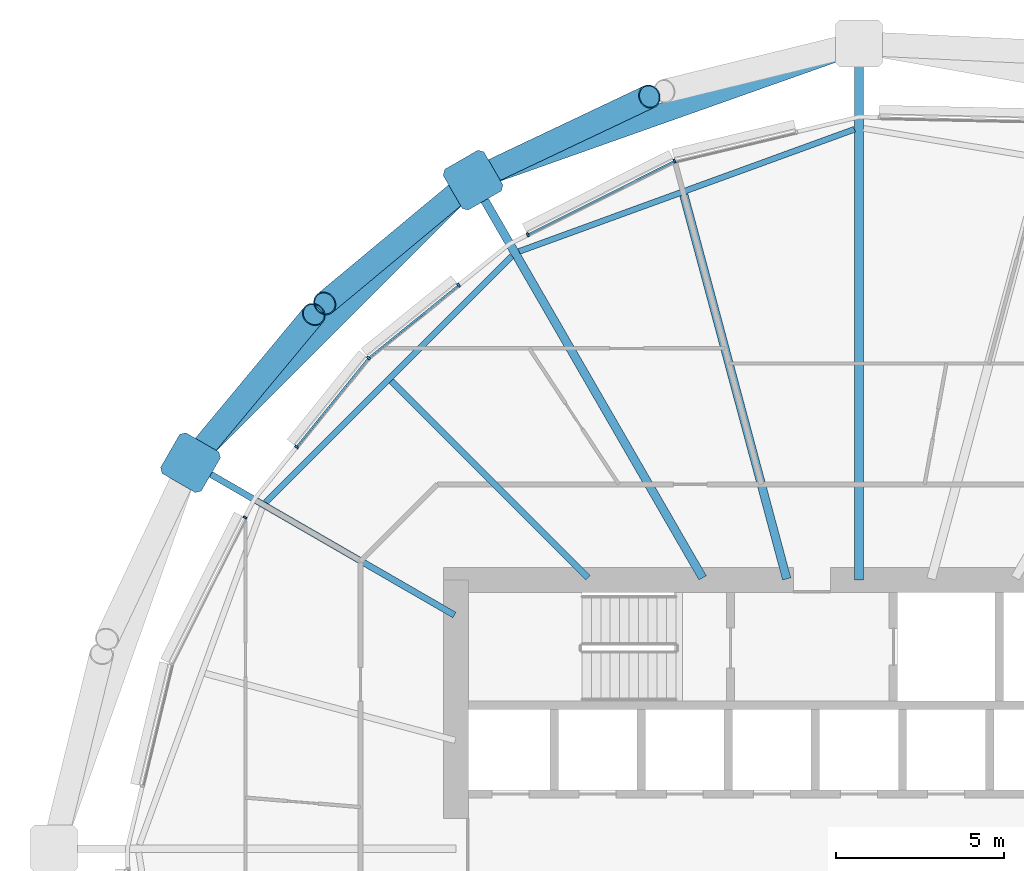
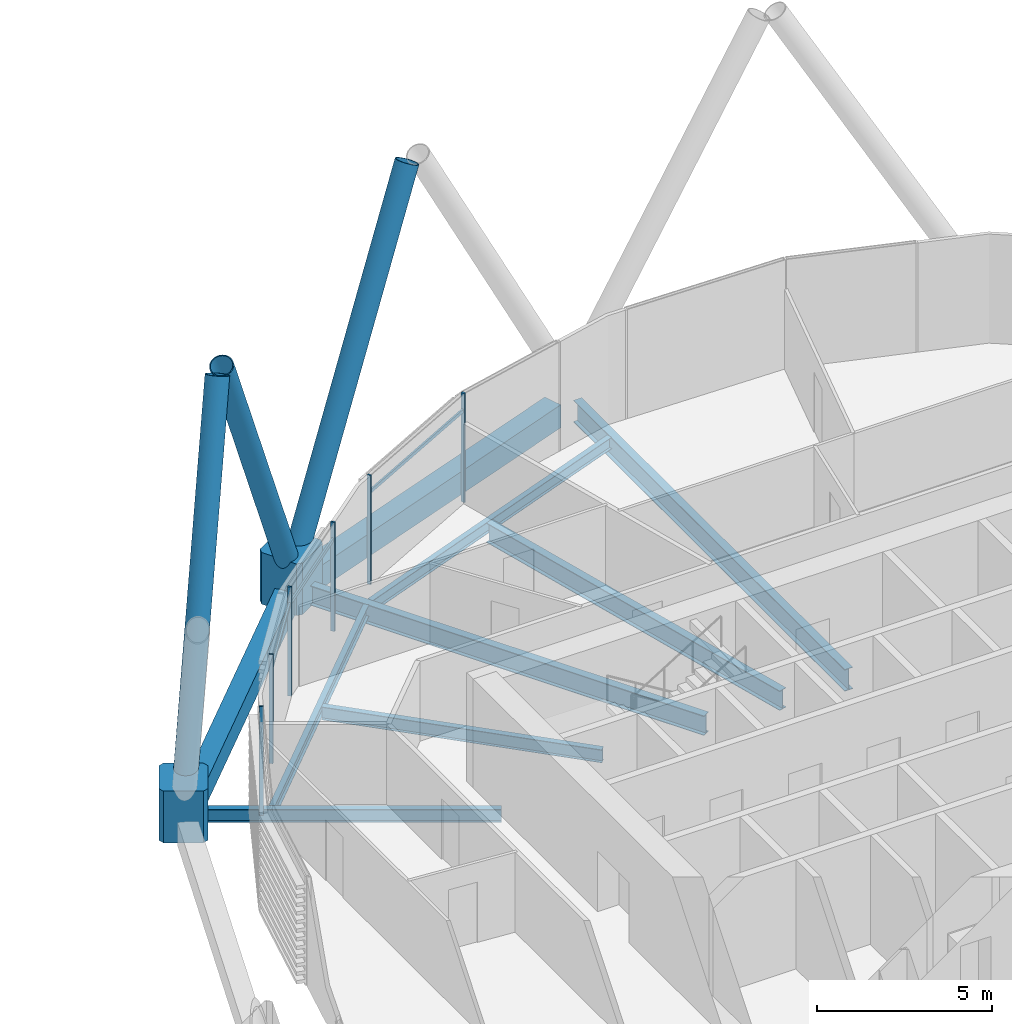
# One storey, part 21 of 39: 14 members, 9 beams, 1 element without a shape of its own.
"""IFC4 building model written with IfcOpenShell, lengths in metres."""

from ifc_helpers import new_model, si_unit, direction, frame, origin, origin_2d, place, context, subcontext, project, spatial, polyline, rectangle, hollow_rectangle, hollow_circle, i_section, outline, extrude, material, material_profile, profile_set, type_object, element, aggregate, save


model = new_model("IFC4")

# Units and contexts
model_context = context("Model", 3, precision=1e-05, world=origin(), true_north=direction((0.0, 1.0)))
body_context = subcontext(model_context, "Body", "Model", "MODEL_VIEW")
ifc_project = project(units=[si_unit("LENGTHUNIT", "METRE"), si_unit("AREAUNIT", "SQUARE_METRE"), si_unit("VOLUMEUNIT", "CUBIC_METRE"), si_unit("PLANEANGLEUNIT", "RADIAN"), si_unit("MASSUNIT", "GRAM", prefix="KILO")], contexts=[model_context])

# Site, building, storey
site_placement = place(None, origin())
site = spatial("IfcSite", under=ifc_project, at=site_placement, CompositionType="ELEMENT")
building_placement = place(site_placement, origin())
building = spatial("IfcBuilding", under=site, at=building_placement, Name="Rimbun Link Towers", CompositionType="ELEMENT")
storey_placement = place(building_placement, frame((0.0, 0.0, 115.800048828125)))
storey = spatial("IfcBuildingStorey", under=building, at=storey_placement, Name="L28", CompositionType="ELEMENT", Elevation=115.800048828125)

# Curtain wall, members
ifc_material_1 = material(Name="Aluminium 6063-T6 and low-iron glass", Category="aluminium")
curtain_wall_type = type_object("IfcCurtainWallType", Name="CW1-Z2 unitised vision wall (zone 2)", PredefinedType="NOTDEFINED", material=ifc_material_1)
curtain_wall_placement = place(storey_placement, origin())
curtain_wall = element("IfcCurtainWall", 1, at=curtain_wall_placement, inside=storey, type_object=curtain_wall_type, Name="CW1 L28 T2", PredefinedType="NOTDEFINED")
ifc_material_2 = material(Name="Aluminium 6063-T6", Category="aluminium")
ifc_material_profile_1 = material_profile(ifc_material_2, rectangle(XDim=0.1201171875, YDim=0.06005859375, at=origin_2d()), Name="MULLION 60X120")
ifc_profile_set_1 = profile_set([ifc_material_profile_1], Name="Aluminium 6063-T6")
member_type_1 = type_object("IfcMemberType", Name="CW1 mullion 60X120", PredefinedType="MULLION", material=ifc_profile_set_1)
member_1_placement = place(storey_placement, frame((26.25732421875, 20.47802734375, 0.0), z_axis=(0.0, 0.0, 1.0), x_axis=(-0.342974549868, 0.939344696127, 0.0)))
member_1 = element("IfcMember", 2, at=member_1_placement, type_object=member_type_1, Name="CW1 mullion", PredefinedType="MULLION", context=body_context, shape_type="SweptSolid", body=[
    extrude(rectangle(XDim=0.1201171875, YDim=0.06005859375, at=origin_2d()), origin(), (0.0, 0.0, 1.0), 3.800048828125),
])
member_2_placement = place(storey_placement, frame((21.88916015625, 18.28466796875, 0.0), z_axis=(0.0, 0.0, 1.0), x_axis=(-0.448789200311, 0.893637652343, 0.0)))
member_2 = element("IfcMember", 3, at=member_2_placement, type_object=member_type_1, Name="CW1 mullion", PredefinedType="MULLION", context=body_context, shape_type="SweptSolid", body=[
    extrude(rectangle(XDim=0.1201171875, YDim=0.06005859375, at=origin_2d()), origin(), (0.0, 0.0, 1.0), 3.800048828125),
])
member_3_placement = place(storey_placement, frame((17.141845703125, 14.608154296875, 0.0), z_axis=(0.0, 0.0, 1.0), x_axis=(-0.707106781187, 0.707106781187, 0.0)))
member_3 = element("IfcMember", 4, at=member_3_placement, type_object=member_type_1, Name="CW1 mullion", PredefinedType="MULLION", context=body_context, shape_type="SweptSolid", body=[
    extrude(rectangle(XDim=0.1201171875, YDim=0.06005859375, at=origin_2d()), origin(), (0.0, 0.0, 1.0), 3.800048828125),
])
member_4_placement = place(storey_placement, frame((19.826416015625, 16.781494140625, 0.0), z_axis=(0.0, 0.0, 1.0), x_axis=(-0.62915825639, 0.777277227517, 0.0)))
member_4 = element("IfcMember", 5, at=member_4_placement, type_object=member_type_1, Name="CW1 mullion", PredefinedType="MULLION", context=body_context, shape_type="SweptSolid", body=[
    extrude(rectangle(XDim=0.1201171875, YDim=0.06005859375, at=origin_2d()), origin(), (0.0, 0.0, 1.0), 3.800048828125),
])
member_5_placement = place(storey_placement, frame((15.0, 11.96240234375, 0.0), z_axis=(0.0, 0.0, 1.0), x_axis=(-0.777277227517, 0.62915825639, 0.0)))
member_5 = element("IfcMember", 6, at=member_5_placement, type_object=member_type_1, Name="CW1 mullion", PredefinedType="MULLION", context=body_context, shape_type="SweptSolid", body=[
    extrude(rectangle(XDim=0.1201171875, YDim=0.06005859375, at=origin_2d()), origin(), (0.0, 0.0, 1.0), 3.800048828125),
])
member_6_placement = place(storey_placement, frame((13.46533203125, 9.86083984375, 0.0), z_axis=(0.0, 0.0, 1.0), x_axis=(-0.893637652343, 0.448789200311, 0.0)))
member_6 = element("IfcMember", 7, at=member_6_placement, type_object=member_type_1, Name="CW1 mullion", PredefinedType="MULLION", context=body_context, shape_type="SweptSolid", body=[
    extrude(rectangle(XDim=0.1201171875, YDim=0.06005859375, at=origin_2d()), origin(), (0.0, 0.0, 1.0), 3.800048828125),
])
ifc_material_3 = material(Name="Aluminium 6063-T6", Category="aluminium")
ifc_material_profile_2 = material_profile(ifc_material_3, rectangle(XDim=0.06005859375, YDim=0.1201171875, at=origin_2d()), Name="TRANSOM 60X120")
ifc_profile_set_2 = profile_set([ifc_material_profile_2], Name="Aluminium 6063-T6")
member_type_2 = type_object("IfcMemberType", Name="CW1 transom 60X120", PredefinedType="USERDEFINED", material=ifc_profile_set_2)
member_7_placement = place(storey_placement, frame((21.916748046875, 18.29638671875, 3.199951171875), z_axis=(0.893645973419, 0.44877263084, 0.0), x_axis=(-0.44877263084, 0.893645973419, 0.0)))
member_7 = element("IfcMember", 8, at=member_7_placement, type_object=member_type_2, Name="CW1 transom", ObjectType="TRANSOM", PredefinedType="USERDEFINED", context=body_context, shape_type="SweptSolid", body=[
    extrude(rectangle(XDim=0.06005859375, YDim=0.1201171875, at=origin_2d()), origin(), (0.0, 0.0, 1.0), 4.821044921875),
])
member_8_placement = place(storey_placement, frame((17.171142578125, 14.629638671875, 3.199951171875), z_axis=(0.777270045063, 0.629167129662, 0.0), x_axis=(-0.629167129662, 0.777270045063, 0.0)))
member_8 = element("IfcMember", 9, at=member_8_placement, type_object=member_type_2, Name="CW1 transom", ObjectType="TRANSOM", PredefinedType="USERDEFINED", context=body_context, shape_type="SweptSolid", body=[
    extrude(rectangle(XDim=0.06005859375, YDim=0.1201171875, at=origin_2d()), origin(), (0.0, 0.0, 1.0), 3.387451171875),
])
member_9_placement = place(storey_placement, frame((15.0205078125, 11.984619140625, 3.199951171875), z_axis=(0.629154037675, 0.777280642289, 0.0), x_axis=(-0.777280642289, 0.629154037675, 0.0)))
member_9 = element("IfcMember", 10, at=member_9_placement, type_object=member_type_2, Name="CW1 transom", ObjectType="TRANSOM", PredefinedType="USERDEFINED", context=body_context, shape_type="SweptSolid", body=[
    extrude(rectangle(XDim=0.06005859375, YDim=0.1201171875, at=origin_2d()), origin(), (0.0, 0.0, 1.0), 3.337646484375),
])
aggregate(curtain_wall, [member_1, member_2, member_3, member_4, member_5, member_6, member_7, member_8, member_9])

# Members
ifc_material_4 = material(Name="Steel S460NH", Category="steel")
ifc_material_profile_3 = material_profile(ifc_material_4, hollow_circle(Radius=0.355712890625, WallThickness=0.031982421875, at=origin_2d()), Name="Diagrid diagonal CHS 711x32")
ifc_profile_set_3 = profile_set([ifc_material_profile_3], Name="Steel S460NH")
member_type_3 = type_object("IfcMemberType", Name="Diagrid diagonal CHS 711x32", PredefinedType="BRACE", material=ifc_profile_set_3)
member_10_placement = place(storey_placement, frame((20.466552734375, 20.0107421875, 0.441650390625), z_axis=(0.423546072576, 0.200760920428, 0.883348049884), x_axis=(-0.428319535675, 0.903627343189, 0.0)))
element("IfcMember", 11, at=member_10_placement, inside=storey, type_object=member_type_3, Name="Diagrid diagonal T2 L28-L31 05a", PredefinedType="BRACE", context=body_context, shape_type="SweptSolid", body=[
    extrude(hollow_circle(Radius=0.355712890625, WallThickness=0.031982421875, at=origin_2d()), origin(), (0.0, 0.0, 1.0), 11.9052734375),
])
for number, where, z_axis, x_axis, name in (
    (12, (20.076416015625, 19.761962890625, 0.44287109375), (-0.356984308532, -0.296828812366, 0.885694563386), (0.639347448765, -0.768917966858, 0.0), "Diagrid diagonal T2 L28-L31 05b"),
    (13, (11.988037109375, 11.673583984375, 0.44287109375), (0.296828812366, 0.356984308532, 0.885694563386), (-0.768917966858, 0.639347448765, 0.0), "Diagrid diagonal T2 L28-L31 07a"),
):
    element("IfcMember", number, at=place(storey_placement, frame(where, z_axis=z_axis, x_axis=x_axis)), inside=storey, type_object=member_type_3, Name=name, PredefinedType="BRACE", context=body_context, shape_type="SweptSolid", body=[
        extrude(hollow_circle(Radius=0.355712890625, WallThickness=0.031982421875, at=origin_2d()), origin(), (0.0, 0.0, 1.0), 11.87109375),
    ])
ifc_material_5 = material(Name="Cast steel G20Mn5+QT, Rp0.2 300 MPa", Category="steel")
ifc_material_profile_4 = material_profile(ifc_material_5, outline(polyline([(0.699951171875, -0.570068359375), (0.699951171875, 0.570068359375), (0.570068359375, 0.699951171875), (-0.570068359375, 0.699951171875), (-0.699951171875, 0.570068359375), (-0.699951171875, -0.570068359375), (-0.570068359375, -0.699951171875), (0.570068359375, -0.699951171875), (0.699951171875, -0.570068359375)])), Name="NODE 1400x1400")
ifc_profile_set_4 = profile_set([ifc_material_profile_4], Name="Cast steel G20Mn5+QT, Rp0.2 300 MPa")
member_type_4 = type_object("IfcMemberType", Name="Diagrid node cast 1400", PredefinedType="USERDEFINED", material=ifc_profile_set_4)
for number, where, z_axis, x_axis, name in (
    (14, (20.2548828125, 19.910400390625, -0.900146484375), (0.0, 0.0, 1.0), (-0.5, 0.866025403784, 0.0), "Diagrid node L28 05"),
    (15, (11.839599609375, 11.4951171875, -0.900146484375), (0.0, 0.0, 1.0), (-0.866025403784, 0.5, 0.0), "Diagrid node L28 07"),
):
    element("IfcMember", number, at=place(storey_placement, frame(where, z_axis=z_axis, x_axis=x_axis)), inside=storey, type_object=member_type_4, Name=name, ObjectType="Diagrid node", PredefinedType="USERDEFINED", context=body_context, shape_type="SweptSolid", body=[
        extrude(outline(polyline([(0.699951171875, -0.570068359375), (0.699951171875, 0.570068359375), (0.570068359375, 0.699951171875), (-0.570068359375, 0.699951171875), (-0.699951171875, 0.570068359375), (-0.699951171875, -0.570068359375), (-0.570068359375, -0.699951171875), (0.570068359375, -0.699951171875), (0.699951171875, -0.570068359375)])), origin(), (0.0, 0.0, 1.0), 1.800048828125),
    ])

# Beams
ifc_material_6 = material(Name="Steel S355J2", Category="steel")
ifc_material_profile_5 = material_profile(ifc_material_6, hollow_rectangle(XDim=0.60009765625, YDim=0.800048828125, WallThickness=0.0400390625, at=origin_2d()), Name="Exoskeleton ring girder BOX 600x800x40")
ifc_profile_set_5 = profile_set([ifc_material_profile_5], Name="Steel S355J2")
beam_type_1 = type_object("IfcBeamType", Name="Exoskeleton ring girder BOX 600x800x40", PredefinedType="BEAM", material=ifc_profile_set_5)
beam_1_placement = place(storey_placement, frame((31.090087890625, 23.74658203125, -0.56005859375), z_axis=(-0.942655395648, -0.333767591381, 0.0), x_axis=(0.333767591381, -0.942655395648, 0.0)))
element("IfcBeam", 16, at=beam_1_placement, inside=storey, type_object=beam_type_1, Name="Exoskeleton ring girder L28 01", PredefinedType="BEAM", context=body_context, shape_type="SweptSolid", body=[
    extrude(hollow_rectangle(XDim=0.60009765625, YDim=0.800048828125, WallThickness=0.0400390625, at=origin_2d()), origin(), (0.0, 0.0, 1.0), 10.794189453125),
])
beam_2_placement = place(storey_placement, frame((19.759765625, 19.415283203125, -0.56005859375), z_axis=(-0.707106781187, -0.707106781187, 0.0), x_axis=(0.707106781187, -0.707106781187, 0.0)))
element("IfcBeam", 17, at=beam_2_placement, inside=storey, type_object=beam_type_1, Name="Exoskeleton ring girder L28 02", PredefinedType="BEAM", context=body_context, shape_type="SweptSolid", body=[
    extrude(hollow_rectangle(XDim=0.60009765625, YDim=0.800048828125, WallThickness=0.0400390625, at=origin_2d()), origin(), (0.0, 0.0, 1.0), 10.50048828125),
])
ifc_material_7 = material(Name="Steel S355J2", Category="steel")
ifc_material_profile_6 = material_profile(ifc_material_7, i_section(OverallWidth=0.177978515625, OverallDepth=0.406494140625, WebThickness=0.0078125, FlangeThickness=0.0126953125, at=origin_2d()), Name="UB 406x178x60")
ifc_profile_set_6 = profile_set([ifc_material_profile_6], Name="Steel S355J2")
beam_type_2 = type_object("IfcBeamType", Name="UB 406x178x60", PredefinedType="BEAM", material=ifc_profile_set_6)
beam_3_placement = place(storey_placement, frame((31.61572265625, 21.42431640625, -0.36328125), z_axis=(-0.939620951706, -0.342216988351, 0.0), x_axis=(0.342216988351, -0.939620951706, 0.0)))
element("IfcBeam", 18, at=beam_3_placement, inside=storey, type_object=beam_type_2, Name="Edge beam T2 L28 03-05", PredefinedType="BEAM", context=body_context, shape_type="SweptSolid", body=[
    extrude(i_section(OverallWidth=0.177978515625, OverallDepth=0.406494140625, WebThickness=0.0078125, FlangeThickness=0.0126953125, at=origin_2d()), origin(), (0.0, 0.0, 1.0), 10.629150390625),
])
beam_4_placement = place(storey_placement, frame((21.412841796875, 17.64892578125, -0.36328125), z_axis=(-0.707118548746, -0.707095013431, 0.0), x_axis=(0.707095013431, -0.707118548746, 0.0)))
element("IfcBeam", 19, at=beam_4_placement, inside=storey, type_object=beam_type_2, Name="Edge beam T2 L28 05-07", PredefinedType="BEAM", context=body_context, shape_type="SweptSolid", body=[
    extrude(i_section(OverallWidth=0.177978515625, OverallDepth=0.406494140625, WebThickness=0.0078125, FlangeThickness=0.0126953125, at=origin_2d()), origin(), (0.0, 0.0, 1.0), 10.373291015625),
])
ifc_material_8 = material(Name="Steel S355J2", Category="steel")
ifc_material_profile_7 = material_profile(ifc_material_8, i_section(OverallWidth=0.18994140625, OverallDepth=0.453369140625, WebThickness=0.008544921875, FlangeThickness=0.0126953125, at=origin_2d()), Name="UB 457x191x67")
ifc_profile_set_7 = profile_set([ifc_material_profile_7], Name="Steel S355J2")
beam_type_3 = type_object("IfcBeamType", Name="UB 457x191x67", PredefinedType="BEAM", material=ifc_profile_set_7)
beam_5_placement = place(storey_placement, frame((23.68212890625, 8.06787109375, -0.38671875), z_axis=(-0.707106781187, 0.707106781187, 0.0), x_axis=(-0.707106781187, -0.707106781187, 0.0)))
element("IfcBeam", 20, at=beam_5_placement, inside=storey, type_object=beam_type_3, Name="Radial beam T2 L28 06", PredefinedType="BEAM", context=body_context, shape_type="SweptSolid", body=[
    extrude(i_section(OverallWidth=0.18994140625, OverallDepth=0.453369140625, WebThickness=0.008544921875, FlangeThickness=0.0126953125, at=origin_2d()), origin(), (0.0, 0.0, 1.0), 8.28955078125),
])
beam_6_placement = place(storey_placement, frame((19.70166015625, 6.9560546875, -0.38671875), z_axis=(-0.866027761826, 0.49999591573, 0.0), x_axis=(-0.49999591573, -0.866027761826, 0.0)))
element("IfcBeam", 21, at=beam_6_placement, inside=storey, type_object=beam_type_3, Name="Radial beam T2 L28 07", PredefinedType="BEAM", context=body_context, shape_type="SweptSolid", body=[
    extrude(i_section(OverallWidth=0.18994140625, OverallDepth=0.453369140625, WebThickness=0.008544921875, FlangeThickness=0.0126953125, at=origin_2d()), origin(), (0.0, 0.0, 1.0), 8.578125),
])
ifc_material_9 = material(Name="Steel S355J2", Category="steel")
ifc_material_profile_8 = material_profile(ifc_material_9, i_section(OverallWidth=0.253662109375, OverallDepth=0.68359375, WebThickness=0.012451171875, FlangeThickness=0.01904296875, at=origin_2d()), Name="UB 686x254x140")
ifc_profile_set_8 = profile_set([ifc_material_profile_8], Name="Steel S355J2")
beam_type_4 = type_object("IfcBeamType", Name="UB 686x254x140", PredefinedType="BEAM", material=ifc_profile_set_8)
beam_7_placement = place(storey_placement, frame((29.597412109375, 8.03369140625, -0.501953125), z_axis=(-0.258818149122, 0.965926066366, 0.0), x_axis=(-0.965926066366, -0.258818149122, 0.0)))
element("IfcBeam", 22, at=beam_7_placement, inside=storey, type_object=beam_type_4, Name="Radial beam T2 L28 04", PredefinedType="BEAM", context=body_context, shape_type="SweptSolid", body=[
    extrude(i_section(OverallWidth=0.253662109375, OverallDepth=0.68359375, WebThickness=0.012451171875, FlangeThickness=0.01904296875, at=origin_2d()), origin(), (0.0, 0.0, 1.0), 11.8466796875),
])
beam_8_placement = place(storey_placement, frame((27.093994140625, 8.064208984375, -0.501953125), z_axis=(-0.499986517253, 0.866033187912, 0.0), x_axis=(-0.866033187912, -0.499986517253, 0.0)))
element("IfcBeam", 23, at=beam_8_placement, inside=storey, type_object=beam_type_4, Name="Radial beam T2 L28 05", PredefinedType="BEAM", context=body_context, shape_type="SweptSolid", body=[
    extrude(i_section(OverallWidth=0.253662109375, OverallDepth=0.68359375, WebThickness=0.012451171875, FlangeThickness=0.01904296875, at=origin_2d()), origin(), (0.0, 0.0, 1.0), 13.178466796875),
])
ifc_material_10 = material(Name="Steel S355J2", Category="steel")
ifc_material_profile_9 = material_profile(ifc_material_10, i_section(OverallWidth=0.2666015625, OverallDepth=0.76220703125, WebThickness=0.014404296875, FlangeThickness=0.021484375, at=origin_2d()), Name="UB 762x267x173")
ifc_profile_set_9 = profile_set([ifc_material_profile_9], Name="Steel S355J2")
beam_type_5 = type_object("IfcBeamType", Name="UB 762x267x173", PredefinedType="BEAM", material=ifc_profile_set_9)
beam_9_placement = place(storey_placement, frame((31.75, 8.0009765625, -0.541259765625), z_axis=(0.0, 1.0, 0.0), x_axis=(-1.0, 0.0, 0.0)))
element("IfcBeam", 24, at=beam_9_placement, inside=storey, type_object=beam_type_5, Name="Radial beam T2 L28 03", PredefinedType="BEAM", context=body_context, shape_type="SweptSolid", body=[
    extrude(i_section(OverallWidth=0.2666015625, OverallDepth=0.76220703125, WebThickness=0.014404296875, FlangeThickness=0.021484375, at=origin_2d()), origin(), (0.0, 0.0, 1.0), 15.479248046875),
])

save(model, "model.ifc")
